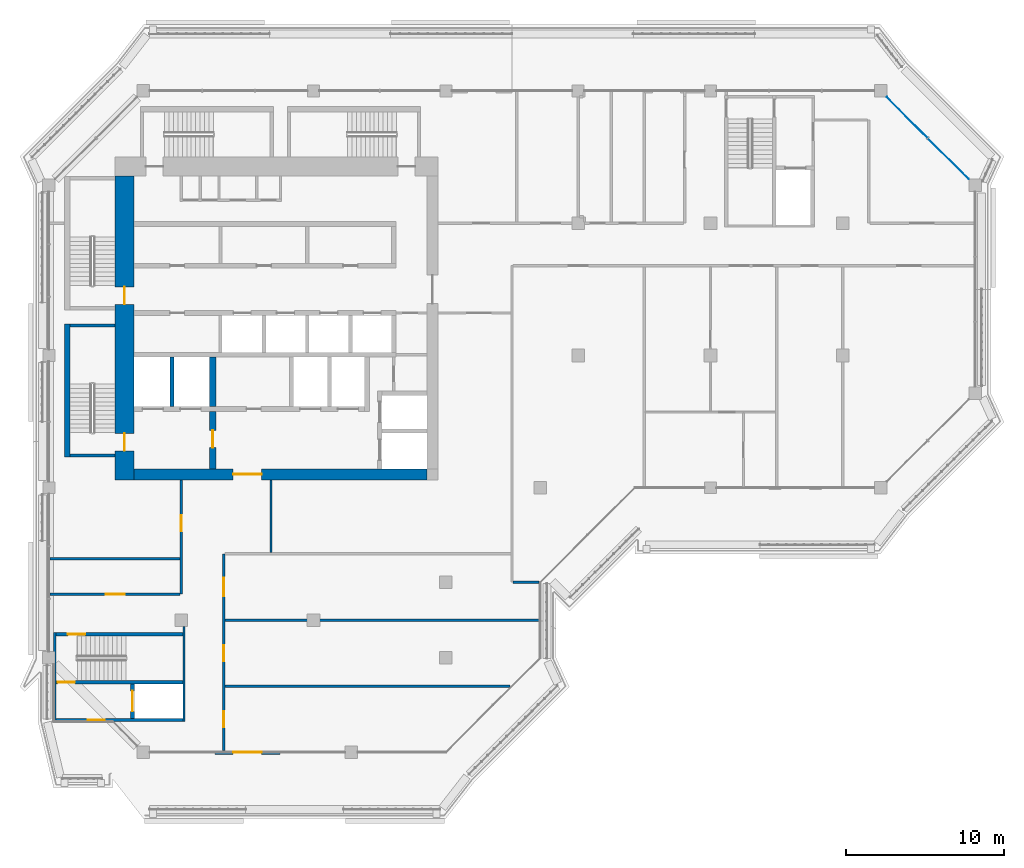
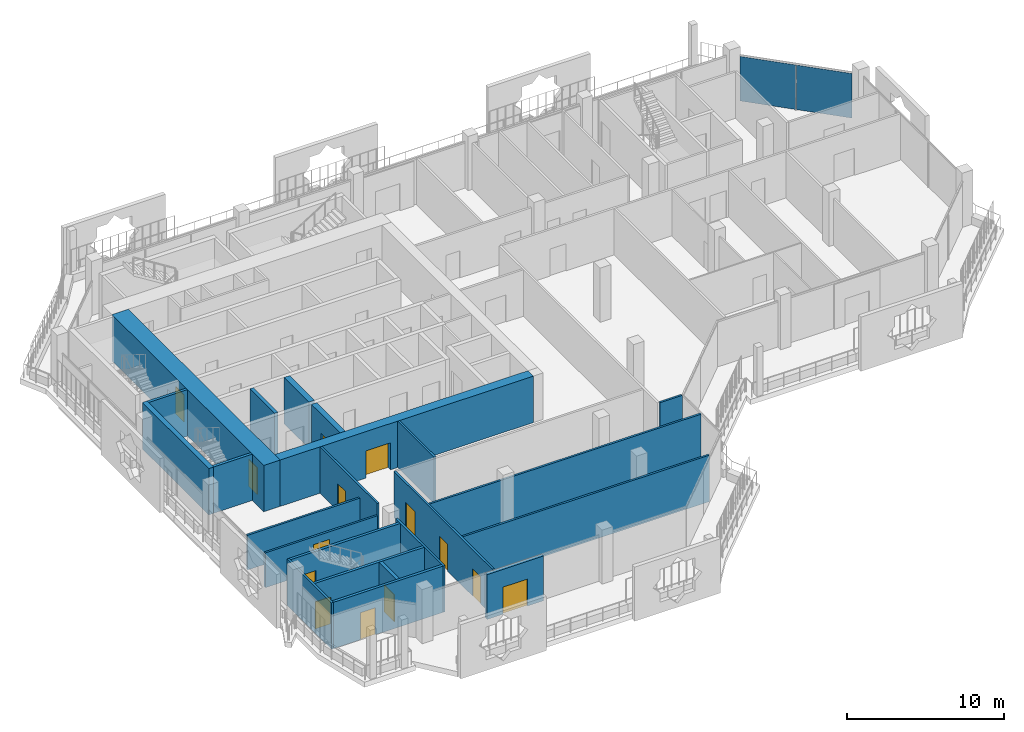
# One storey, part 10 of 21: 23 walls, 14 doors, 2 plates, 14 openings, 1 element without a shape of its own.
"""IFC4 building model written with IfcOpenShell, lengths in metres."""

from ifc_helpers import new_model, si_unit, direction, frame, frame_2d, origin, origin_2d, place, context, subcontext, project, spatial, rectangle, extrude, material, layer, layer_set, type_object, element, fill, aggregate, save


model = new_model("IFC4")

# Units and contexts
model_context = context("Model", 3, precision=1e-05, world=origin(), true_north=direction((0.0, 1.0)))
body_context = subcontext(model_context, "Body", "Model", "MODEL_VIEW")
ifc_project = project(units=[si_unit("LENGTHUNIT", "METRE"), si_unit("AREAUNIT", "SQUARE_METRE"), si_unit("VOLUMEUNIT", "CUBIC_METRE"), si_unit("PLANEANGLEUNIT", "RADIAN"), si_unit("MASSUNIT", "GRAM", prefix="KILO")], contexts=[model_context])

# Site, building, storey
site_placement = place(None, origin())
site = spatial("IfcSite", under=ifc_project, at=site_placement, CompositionType="ELEMENT")
building_placement = place(site_placement, origin())
building = spatial("IfcBuilding", under=site, at=building_placement, Name="Kawkab Arch Medical Tower", CompositionType="ELEMENT")
storey_placement = place(building_placement, frame((0.0, 0.0, 311.199951171875)))
storey = spatial("IfcBuildingStorey", under=building, at=storey_placement, Name="L72", CompositionType="ELEMENT", Elevation=311.199951171875)

# Curtain wall, plates
ifc_material_1 = material(Name="Bronze anodised aluminium curtain wall frame", Category="aluminium")
ifc_layer_1 = layer(ifc_material_1, 0.159912109375)
ifc_layer_set_1 = layer_set([ifc_layer_1], Name="Bronze anodised aluminium curtain wall frame")
curtain_wall_type = type_object("IfcCurtainWallType", Name="CW2 chamfer curtain wall", PredefinedType="NOTDEFINED", material=ifc_layer_set_1)
curtain_wall_placement = place(storey_placement, origin())
curtain_wall = element("IfcCurtainWall", 1, at=curtain_wall_placement, inside=storey, type_object=curtain_wall_type, Name="CW2 Chamfer curtain wall R14", PredefinedType="NOTDEFINED")
ifc_material_2 = material(Name="Tinted insulating glass, bronze low-e coating", Category="glass")
ifc_layer_2 = layer(ifc_material_2, 0.031982421875)
ifc_layer_set_2 = layer_set([ifc_layer_2], Name="Tinted insulating glass, bronze low-e coating")
plate_type = type_object("IfcPlateType", Name="CW2 glazing unit 32", PredefinedType="CURTAIN_PANEL", material=ifc_layer_set_2)
plate_1_placement = place(storey_placement, frame((57.110595703125, -4.310546875, 0.0), z_axis=(0.0, 0.0, 1.0), x_axis=(-0.707106781187, 0.707106781187, 0.0)))
plate_1 = element("IfcPlate", 2, at=plate_1_placement, type_object=plate_type, Name="CW2 glazing unit 1.1", PredefinedType="CURTAIN_PANEL", context=body_context, shape_type="SweptSolid", body=[
    extrude(rectangle(XDim=3.64697265625, YDim=0.031982421875, at=origin_2d()), origin(), (0.0, 0.0, 1.0), 3.4599609375),
])
plate_2_placement = place(storey_placement, frame((54.489501953125, -1.689453125, 0.0), z_axis=(0.0, 0.0, 1.0), x_axis=(-0.707106781187, 0.707106781187, 0.0)))
plate_2 = element("IfcPlate", 3, at=plate_2_placement, type_object=plate_type, Name="CW2 glazing unit 1.2", PredefinedType="CURTAIN_PANEL", context=body_context, shape_type="SweptSolid", body=[
    extrude(rectangle(XDim=3.64697265625, YDim=0.031982421875, at=origin_2d()), origin(), (0.0, 0.0, 1.0), 3.4599609375),
])
aggregate(curtain_wall, [plate_1, plate_2])

# Wall, openings, doors
ifc_material_3 = material(Name="Concrete C50/60", Category="concrete")
ifc_layer_3 = layer(ifc_material_3, 1.199951171875)
ifc_layer_set_3 = layer_set([ifc_layer_3], Name="Concrete C50/60")
wall_type_1 = type_object("IfcWallType", Name="Core ring wall 1200 C50/60", PredefinedType="SHEAR", material=ifc_layer_set_3)
wall_1_placement = place(storey_placement, frame((4.800048828125, -24.699951171875, 0.0), z_axis=(0.0, 0.0, 1.0), x_axis=(0.0, 1.0, 0.0)))
wall_1 = element("IfcWall", 4, at=wall_1_placement, inside=storey, type_object=wall_type_1, Name="L72 core wall", PredefinedType="SHEAR", context=body_context, shape_type="SweptSolid", body=[
    extrude(rectangle(XDim=19.300048828125, YDim=1.199951171875, at=frame_2d((9.64990234375, 0.0))), origin(), (0.0, 0.0, 1.0), 3.60009765625),
])
opening_1_placement = place(wall_1_placement, frame((11.14990234375, 0.0, 0.0)))
opening_1 = element("IfcOpeningElement", 5, at=opening_1_placement, cuts=wall_1, Name="Opening SD", PredefinedType="OPENING", context=body_context, shape_type="SweptSolid", body=[
    extrude(rectangle(XDim=1.10009765625, YDim=2.10009765625, at=frame_2d((0.550048828125, 1.050048828125))), frame((0.0, 0.60986328125, 0.0), z_axis=(0.0, -1.0, 0.0), x_axis=(1.0, 0.0, 0.0)), (0.0, 0.0, 1.0), 1.219970703125),
])
opening_2_placement = place(wall_1_placement, frame((1.85009765625, 0.0, 0.0)))
opening_2 = element("IfcOpeningElement", 6, at=opening_2_placement, cuts=wall_1, Name="Opening SD", PredefinedType="OPENING", context=body_context, shape_type="SweptSolid", body=[
    extrude(rectangle(XDim=1.10009765625, YDim=2.10009765625, at=frame_2d((0.550048828125, 1.050048828125))), frame((0.0, 0.60986328125, 0.0), z_axis=(0.0, -1.0, 0.0), x_axis=(1.0, 0.0, 0.0)), (0.0, 0.0, 1.0), 1.219970703125),
])
ifc_material_4 = material(Name="Hollow metal fire door leaf")
door_type_1 = type_object("IfcDoorType", Name="Exit stair door 1100", OperationType="SINGLE_SWING_LEFT", PredefinedType="DOOR", material=ifc_material_4)
door_1_placement = place(opening_1_placement, origin())
door_1 = element("IfcDoor", 7, at=door_1_placement, inside=storey, type_object=door_type_1, Name="L72 Exit stair ST1 door", OperationType="SINGLE_SWING_LEFT", OverallHeight=2.10009765625, OverallWidth=1.10009765625, PredefinedType="DOOR", context=body_context, shape_type="SweptSolid", body=[
    extrude(rectangle(XDim=1.10009765625, YDim=2.10009765625, at=frame_2d((0.550048828125, 1.050048828125))), frame((0.0, 0.02490234375, 0.0), z_axis=(0.0, -1.0, 0.0), x_axis=(1.0, 0.0, 0.0)), (0.0, 0.0, 1.0), 0.050048828125),
])
fill(opening_1, door_1)
door_2_placement = place(opening_2_placement, origin())
door_2 = element("IfcDoor", 8, at=door_2_placement, inside=storey, type_object=door_type_1, Name="L72 Exit stair ST2 door", OperationType="SINGLE_SWING_LEFT", OverallHeight=2.10009765625, OverallWidth=1.10009765625, PredefinedType="DOOR", context=body_context, shape_type="SweptSolid", body=[
    extrude(rectangle(XDim=1.10009765625, YDim=2.10009765625, at=frame_2d((0.550048828125, 1.050048828125))), frame((0.0, 0.02490234375, 0.0), z_axis=(0.0, -1.0, 0.0), x_axis=(1.0, 0.0, 0.0)), (0.0, 0.0, 1.0), 0.050048828125),
])
fill(opening_2, door_2)

# Wall, opening, door
ifc_material_5 = material(Name="Concrete C50/60", Category="concrete")
ifc_layer_4 = layer(ifc_material_5, 0.699951171875)
ifc_layer_set_4 = layer_set([ifc_layer_4], Name="Concrete C50/60")
wall_type_2 = type_object("IfcWallType", Name="Core ring wall 700 C50/60", PredefinedType="SHEAR", material=ifc_layer_set_4)
wall_2_placement = place(storey_placement, frame((5.39990234375, -24.35009765625, 0.0), z_axis=(0.0, 0.0, 1.0), x_axis=(1.0, 0.0, 0.0)))
wall_2 = element("IfcWall", 9, at=wall_2_placement, inside=storey, type_object=wall_type_2, Name="L72 core wall", PredefinedType="SHEAR", context=body_context, shape_type="SweptSolid", body=[
    extrude(rectangle(XDim=18.60009765625, YDim=0.699951171875, at=frame_2d((9.300048828125, 0.0))), origin(), (0.0, 0.0, 1.0), 3.60009765625),
])
opening_3_placement = place(wall_2_placement, frame((6.300048828125, 0.0, 0.0)))
opening_3 = element("IfcOpeningElement", 10, at=opening_3_placement, cuts=wall_2, Name="Opening PD", PredefinedType="OPENING", context=body_context, shape_type="SweptSolid", body=[
    extrude(rectangle(XDim=1.800048828125, YDim=2.10009765625, at=frame_2d((0.89990234375, 1.050048828125))), frame((0.0, 0.35986328125, 0.0), z_axis=(0.0, -1.0, 0.0), x_axis=(1.0, 0.0, 0.0)), (0.0, 0.0, 1.0), 0.719970703125),
])
ifc_material_6 = material(Name="Hollow metal fire door leaf")
door_type_2 = type_object("IfcDoorType", Name="Core entrance doors 1800", OperationType="DOUBLE_DOOR_SINGLE_SWING", PredefinedType="DOOR", material=ifc_material_6)
door_3_placement = place(opening_3_placement, origin())
door_3 = element("IfcDoor", 11, at=door_3_placement, inside=storey, type_object=door_type_2, Name="L72 South entrance doors", OperationType="DOUBLE_DOOR_SINGLE_SWING", OverallHeight=2.10009765625, OverallWidth=1.800048828125, PredefinedType="DOOR", context=body_context, shape_type="SweptSolid", body=[
    extrude(rectangle(XDim=1.800048828125, YDim=2.10009765625, at=frame_2d((0.89990234375, 1.050048828125))), frame((0.0, 0.02490234375, 0.0), z_axis=(0.0, -1.0, 0.0), x_axis=(1.0, 0.0, 0.0)), (0.0, 0.0, 1.0), 0.050048828125),
])
fill(opening_3, door_3)

# Wall
ifc_material_7 = material(Name="Concrete C60/75", Category="concrete")
ifc_layer_5 = layer(ifc_material_7, 0.25)
ifc_layer_set_5 = layer_set([ifc_layer_5], Name="Concrete C60/75")
wall_type_3 = type_object("IfcWallType", Name="Core shear wall 250 C60/75", PredefinedType="SHEAR", material=ifc_layer_set_5)
wall_3_placement = place(storey_placement, frame((7.800048828125, -20.050048828125, 0.0), z_axis=(0.0, 0.0, 1.0), x_axis=(0.0, 1.0, 0.0)))
element("IfcWall", 12, at=wall_3_placement, inside=storey, type_object=wall_type_3, Name="L72 core shear wall", PredefinedType="SHEAR", context=body_context, shape_type="SweptSolid", body=[
    extrude(rectangle(XDim=3.150146484375, YDim=0.25, at=frame_2d((1.5751953125, 0.0))), origin(), (0.0, 0.0, 1.0), 3.60009765625),
])

# Wall, opening, door
wall_4_placement = place(storey_placement, frame((5.300048828125, -39.85009765625, 0.0), z_axis=(0.0, 0.0, 1.0), x_axis=(0.0, 1.0, 0.0)))
wall_4 = element("IfcWall", 13, at=wall_4_placement, inside=storey, type_object=wall_type_3, Name="L72 core shear wall", PredefinedType="SHEAR", context=body_context, shape_type="SweptSolid", body=[
    extrude(rectangle(XDim=2.2001953125, YDim=0.25, at=frame_2d((1.10009765625, 0.0))), origin(), (0.0, 0.0, 1.0), 3.60009765625),
])
opening_4_placement = place(wall_4_placement, frame((0.449951171875, 0.0, 0.0)))
opening_4 = element("IfcOpeningElement", 14, at=opening_4_placement, cuts=wall_4, Name="Opening LD2", PredefinedType="OPENING", context=body_context, shape_type="SweptSolid", body=[
    extrude(rectangle(XDim=1.300048828125, YDim=2.10009765625, at=frame_2d((0.64990234375, 1.050048828125))), frame((0.0, 0.135009765625, 0.0), z_axis=(0.0, -1.0, 0.0), x_axis=(1.0, 0.0, 0.0)), (0.0, 0.0, 1.0), 0.27001953125),
])
ifc_material_8 = material(Name="Stainless steel lift door leaf", Category="steel")
door_type_3 = type_object("IfcDoorType", Name="Lift landing door 1300", OperationType="DOUBLE_DOOR_SLIDING", PredefinedType="DOOR", material=ifc_material_8)
door_4_placement = place(opening_4_placement, origin())
door_4 = element("IfcDoor", 15, at=door_4_placement, inside=storey, type_object=door_type_3, Name="L72 Lift landing door SV2", OperationType="DOUBLE_DOOR_SLIDING", OverallHeight=2.10009765625, OverallWidth=1.300048828125, PredefinedType="DOOR", context=body_context, shape_type="SweptSolid", body=[
    extrude(rectangle(XDim=1.300048828125, YDim=2.10009765625, at=frame_2d((0.64990234375, 1.050048828125))), frame((0.0, 0.02490234375, 0.0), z_axis=(0.0, -1.0, 0.0), x_axis=(1.0, 0.0, 0.0)), (0.0, 0.0, 1.0), 0.050048828125),
])
fill(opening_4, door_4)

ifc_material_9 = material(Name="Concrete C60/75", Category="concrete")
ifc_layer_6 = layer(ifc_material_9, 0.39990234375)
ifc_layer_set_6 = layer_set([ifc_layer_6], Name="Concrete C60/75")
wall_type_4 = type_object("IfcWallType", Name="Core shear wall 400 C60/75", PredefinedType="SHEAR", material=ifc_layer_set_6)
wall_5_placement = place(storey_placement, frame((10.39990234375, -24.0, 0.0), z_axis=(0.0, 0.0, 1.0), x_axis=(0.0, 1.0, 0.0)))
wall_5 = element("IfcWall", 16, at=wall_5_placement, inside=storey, type_object=wall_type_4, Name="L72 core shear wall", PredefinedType="SHEAR", context=body_context, shape_type="SweptSolid", body=[
    extrude(rectangle(XDim=3.64990234375, YDim=0.39990234375, at=frame_2d((1.824951171875, 0.0))), origin(), (0.0, 0.0, 1.0), 3.60009765625),
])
opening_5_placement = place(wall_5_placement, frame((1.35009765625, 0.0, 0.0)))
opening_5 = element("IfcOpeningElement", 17, at=opening_5_placement, cuts=wall_5, Name="Opening FD", PredefinedType="OPENING", context=body_context, shape_type="SweptSolid", body=[
    extrude(rectangle(XDim=1.10009765625, YDim=2.10009765625, at=frame_2d((0.550048828125, 1.050048828125))), frame((0.0, 0.2099609375, 0.0), z_axis=(0.0, -1.0, 0.0), x_axis=(1.0, 0.0, 0.0)), (0.0, 0.0, 1.0), 0.419921875),
])
ifc_material_10 = material(Name="Hollow metal fire door leaf")
door_type_4 = type_object("IfcDoorType", Name="Firefighting lobby door 1100", OperationType="SINGLE_SWING_LEFT", PredefinedType="DOOR", material=ifc_material_10)
door_5_placement = place(opening_5_placement, origin())
door_5 = element("IfcDoor", 18, at=door_5_placement, inside=storey, type_object=door_type_4, Name="L72 Firefighting lobby door", OperationType="SINGLE_SWING_LEFT", OverallHeight=2.10009765625, OverallWidth=1.10009765625, PredefinedType="DOOR", context=body_context, shape_type="SweptSolid", body=[
    extrude(rectangle(XDim=1.10009765625, YDim=2.10009765625, at=frame_2d((0.550048828125, 1.050048828125))), frame((0.0, 0.02490234375, 0.0), z_axis=(0.0, -1.0, 0.0), x_axis=(1.0, 0.0, 0.0)), (0.0, 0.0, 1.0), 0.050048828125),
])
fill(opening_5, door_5)

# Wall
wall_6_placement = place(storey_placement, frame((10.39990234375, -20.050048828125, 0.0), z_axis=(0.0, 0.0, 1.0), x_axis=(0.0, 1.0, 0.0)))
element("IfcWall", 19, at=wall_6_placement, inside=storey, type_object=wall_type_4, Name="L72 core shear wall", PredefinedType="SHEAR", context=body_context, shape_type="SweptSolid", body=[
    extrude(rectangle(XDim=3.150146484375, YDim=0.39990234375, at=frame_2d((1.5751953125, 0.0))), origin(), (0.0, 0.0, 1.0), 3.60009765625),
])

# Wall, opening, door
ifc_material_11 = material(Name="Bronze clad insulated wall panel")
ifc_layer_7 = layer(ifc_material_11, 0.25)
ifc_layer_set_7 = layer_set([ifc_layer_7], Name="Bronze clad insulated wall panel")
wall_type_5 = type_object("IfcWallType", Name="External wall bay 250", PredefinedType="SOLIDWALL", material=ifc_layer_set_7)
wall_7_placement = place(storey_placement, frame((10.533447265625, -42.0, 0.0), z_axis=(0.0, 0.0, 1.0), x_axis=(1.0, 0.0, 0.0)))
wall_7 = element("IfcWall", 20, at=wall_7_placement, inside=storey, type_object=wall_type_5, Name="External wall bay L72.R07.1.2", PredefinedType="SOLIDWALL", context=body_context, shape_type="SweptSolid", body=[
    extrude(rectangle(XDim=4.13330078125, YDim=0.25, at=frame_2d((2.066650390625, 0.0))), origin(), (0.0, 0.0, 1.0), 3.47998046875),
])
opening_6_placement = place(wall_7_placement, frame((1.166748046875, 0.0, 0.0)))
opening_6 = element("IfcOpeningElement", 21, at=opening_6_placement, cuts=wall_7, Name="Opening W67-701", PredefinedType="OPENING", context=body_context, shape_type="SweptSolid", body=[
    extrude(rectangle(XDim=1.800048828125, YDim=2.10009765625, at=frame_2d((0.89990234375, 1.050048828125))), frame((0.0, 0.135009765625, 0.0), z_axis=(0.0, -1.0, 0.0), x_axis=(1.0, 0.0, 0.0)), (0.0, 0.0, 1.0), 0.27001953125),
])
ifc_material_12 = material(Name="Bronze anodised aluminium door with tinted glass", Category="aluminium")
door_type_5 = type_object("IfcDoorType", Name="Double external door 1800 x 2100", OperationType="DOUBLE_DOOR_SINGLE_SWING", PredefinedType="DOOR", material=ifc_material_12)
door_6_placement = place(opening_6_placement, origin())
door_6 = element("IfcDoor", 22, at=door_6_placement, inside=storey, type_object=door_type_5, Name="External door L72.R07.1.2", OperationType="DOUBLE_DOOR_SINGLE_SWING", OverallHeight=2.10009765625, OverallWidth=1.800048828125, PredefinedType="DOOR", context=body_context, shape_type="SweptSolid", body=[
    extrude(rectangle(XDim=1.800048828125, YDim=2.10009765625, at=frame_2d((0.89990234375, 1.050048828125))), frame((0.0, 0.02490234375, 0.0), z_axis=(0.0, -1.0, 0.0), x_axis=(1.0, 0.0, 0.0)), (0.0, 0.0, 1.0), 0.050048828125),
])
fill(opening_6, door_6)

# Walls
ifc_material_13 = material(Name="Gypsum board partition on steel studs, mineral wool", Category="steel")
ifc_layer_8 = layer(ifc_material_13, 0.14990234375)
ifc_layer_set_8 = layer_set([ifc_layer_8], Name="Gypsum board partition on steel studs, mineral wool")
wall_type_6 = type_object("IfcWallType", Name="Partition 150", PredefinedType="PARTITIONING", material=ifc_layer_set_8)
wall_8_placement = place(storey_placement, frame((11.175048828125, -37.800048828125, 0.0), z_axis=(0.0, 0.0, 1.0), x_axis=(1.0, 0.0, 0.0)))
element("IfcWall", 23, at=wall_8_placement, inside=storey, type_object=wall_type_6, Name="Partition 150 w004", PredefinedType="PARTITIONING", context=body_context, shape_type="SweptSolid", body=[
    extrude(rectangle(XDim=18.112060546875, YDim=0.14990234375, at=frame_2d((9.05615234375, 0.0))), origin(), (0.0, 0.0, 1.0), 3.60009765625),
])
wall_9_placement = place(storey_placement, frame((11.175048828125, -33.60009765625, 0.0), z_axis=(0.0, 0.0, 1.0), x_axis=(1.0, 0.0, 0.0)))
element("IfcWall", 24, at=wall_9_placement, inside=storey, type_object=wall_type_6, Name="Partition 150 w005", PredefinedType="PARTITIONING", context=body_context, shape_type="SweptSolid", body=[
    extrude(rectangle(XDim=19.945068359375, YDim=0.14990234375, at=frame_2d((9.97265625, 0.0))), origin(), (0.0, 0.0, 1.0), 3.60009765625),
])

# Wall, opening, door
wall_10_placement = place(storey_placement, frame((0.080078125, -31.95703125, 0.0), z_axis=(0.0, 0.0, 1.0), x_axis=(1.0, 0.0, 0.0)))
wall_10 = element("IfcWall", 25, at=wall_10_placement, inside=storey, type_object=wall_type_6, Name="Partition 150 w006", PredefinedType="PARTITIONING", context=body_context, shape_type="SweptSolid", body=[
    extrude(rectangle(XDim=8.244873046875, YDim=0.14990234375, at=frame_2d((4.12255859375, 0.0))), origin(), (0.0, 0.0, 1.0), 2.699951171875),
])
opening_7_placement = place(wall_10_placement, frame((3.52001953125, 0.0, 0.0)))
opening_7 = element("IfcOpeningElement", 26, at=opening_7_placement, cuts=wall_10, Name="Opening W67-019", PredefinedType="OPENING", context=body_context, shape_type="SweptSolid", body=[
    extrude(rectangle(XDim=1.199951171875, YDim=2.10009765625, at=frame_2d((0.60009765625, 1.050048828125))), frame((0.0, 0.0849609375, 0.0), z_axis=(0.0, -1.0, 0.0), x_axis=(1.0, 0.0, 0.0)), (0.0, 0.0, 1.0), 0.169921875),
])
ifc_material_14 = material(Name="Hollow metal door leaf")
door_type_6 = type_object("IfcDoorType", Name="Single door 1200x2100 FD30S", OperationType="NOTDEFINED", PredefinedType="DOOR", material=ifc_material_14)
door_7_placement = place(opening_7_placement, origin())
door_7 = element("IfcDoor", 27, at=door_7_placement, inside=storey, type_object=door_type_6, Name="Door W67-019", OperationType="SINGLE_SWING_LEFT", OverallHeight=2.10009765625, OverallWidth=1.199951171875, PredefinedType="DOOR", context=body_context, shape_type="SweptSolid", body=[
    extrude(rectangle(XDim=1.199951171875, YDim=2.10009765625, at=frame_2d((0.60009765625, 1.050048828125))), frame((0.0, 0.02490234375, 0.0), z_axis=(0.0, -1.0, 0.0), x_axis=(1.0, 0.0, 0.0)), (0.0, 0.0, 1.0), 0.050048828125),
])
fill(opening_7, door_7)

# Walls
wall_11_placement = place(storey_placement, frame((29.47705078125, -31.199951171875, 0.0), z_axis=(0.0, 0.0, 1.0), x_axis=(1.0, 0.0, 0.0)))
element("IfcWall", 28, at=wall_11_placement, inside=storey, type_object=wall_type_6, Name="Partition 150 w007", PredefinedType="PARTITIONING", context=body_context, shape_type="SweptSolid", body=[
    extrude(rectangle(XDim=1.64306640625, YDim=0.14990234375, at=frame_2d((0.821533203125, 0.0))), origin(), (0.0, 0.0, 1.0), 3.60009765625),
])
wall_12_placement = place(storey_placement, frame((0.080078125, -29.699951171875, 0.0), z_axis=(0.0, 0.0, 1.0), x_axis=(1.0, 0.0, 0.0)))
element("IfcWall", 29, at=wall_12_placement, inside=storey, type_object=wall_type_6, Name="Partition 150 w008", PredefinedType="PARTITIONING", context=body_context, shape_type="SweptSolid", body=[
    extrude(rectangle(XDim=8.244873046875, YDim=0.14990234375, at=frame_2d((4.12255859375, 0.0))), origin(), (0.0, 0.0, 1.0), 2.699951171875),
])

# Wall, opening, door
wall_13_placement = place(storey_placement, frame((8.39990234375, -31.95703125, 0.0), z_axis=(0.0, 0.0, 1.0), x_axis=(0.0, 1.0, 0.0)))
wall_13 = element("IfcWall", 30, at=wall_13_placement, inside=storey, type_object=wall_type_6, Name="Partition 150 w018", PredefinedType="PARTITIONING", context=body_context, shape_type="SweptSolid", body=[
    extrude(rectangle(XDim=7.257080078125, YDim=0.14990234375, at=frame_2d((3.62841796875, 0.0))), origin(), (0.0, 0.0, 1.0), 3.60009765625),
])
opening_8_placement = place(wall_13_placement, frame((4.007080078125, 0.0, 0.0)))
opening_8 = element("IfcOpeningElement", 31, at=opening_8_placement, cuts=wall_13, Name="Opening W67-011", PredefinedType="OPENING", context=body_context, shape_type="SweptSolid", body=[
    extrude(rectangle(XDim=1.0, YDim=2.10009765625, at=frame_2d((0.5, 1.050048828125))), frame((0.0, 0.0849609375, 0.0), z_axis=(0.0, -1.0, 0.0), x_axis=(1.0, 0.0, 0.0)), (0.0, 0.0, 1.0), 0.169921875),
])
ifc_material_15 = material(Name="Hollow metal door leaf")
door_type_7 = type_object("IfcDoorType", Name="Single door 1000x2100 FD30S", OperationType="NOTDEFINED", PredefinedType="DOOR", material=ifc_material_15)
door_8_placement = place(opening_8_placement, origin())
door_8 = element("IfcDoor", 32, at=door_8_placement, inside=storey, type_object=door_type_7, Name="Door W67-011", OperationType="SINGLE_SWING_RIGHT", OverallHeight=2.10009765625, OverallWidth=1.0, PredefinedType="DOOR", context=body_context, shape_type="SweptSolid", body=[
    extrude(rectangle(XDim=1.0, YDim=2.10009765625, at=frame_2d((0.5, 1.050048828125))), frame((0.0, 0.02490234375, 0.0), z_axis=(0.0, -1.0, 0.0), x_axis=(1.0, 0.0, 0.0)), (0.0, 0.0, 1.0), 0.050048828125),
])
fill(opening_8, door_8)

# Wall, openings, doors
wall_14_placement = place(storey_placement, frame((11.10009765625, -41.919921875, 0.0), z_axis=(0.0, 0.0, 1.0), x_axis=(0.0, 1.0, 0.0)))
wall_14 = element("IfcWall", 33, at=wall_14_placement, inside=storey, type_object=wall_type_6, Name="Partition 150 w019", PredefinedType="PARTITIONING", context=body_context, shape_type="SweptSolid", body=[
    extrude(rectangle(XDim=12.52001953125, YDim=0.14990234375, at=frame_2d((6.260009765625, 0.0))), origin(), (0.0, 0.0, 1.0), 3.60009765625),
])
opening_9_placement = place(wall_14_placement, frame((9.820068359375, 0.0, 0.0)))
opening_9 = element("IfcOpeningElement", 34, at=opening_9_placement, cuts=wall_14, Name="Opening W67-020", PredefinedType="OPENING", context=body_context, shape_type="SweptSolid", body=[
    extrude(rectangle(XDim=1.199951171875, YDim=2.10009765625, at=frame_2d((0.60009765625, 1.050048828125))), frame((0.0, 0.0849609375, 0.0), z_axis=(0.0, -1.0, 0.0), x_axis=(1.0, 0.0, 0.0)), (0.0, 0.0, 1.0), 0.169921875),
])
opening_10_placement = place(wall_14_placement, frame((5.719970703125, 0.0, 0.0)))
opening_10 = element("IfcOpeningElement", 35, at=opening_10_placement, cuts=wall_14, Name="Opening W67-012", PredefinedType="OPENING", context=body_context, shape_type="SweptSolid", body=[
    extrude(rectangle(XDim=1.0, YDim=2.10009765625, at=frame_2d((0.5, 1.050048828125))), frame((0.0, 0.0849609375, 0.0), z_axis=(0.0, -1.0, 0.0), x_axis=(1.0, 0.0, 0.0)), (0.0, 0.0, 1.0), 0.169921875),
])
opening_11_placement = place(wall_14_placement, frame((1.52001953125, 0.0, 0.0)))
opening_11 = element("IfcOpeningElement", 36, at=opening_11_placement, cuts=wall_14, Name="Opening W67-013", PredefinedType="OPENING", context=body_context, shape_type="SweptSolid", body=[
    extrude(rectangle(XDim=1.0, YDim=2.10009765625, at=frame_2d((0.5, 1.050048828125))), frame((0.0, 0.0849609375, 0.0), z_axis=(0.0, -1.0, 0.0), x_axis=(1.0, 0.0, 0.0)), (0.0, 0.0, 1.0), 0.169921875),
])
door_9_placement = place(opening_10_placement, origin())
door_9 = element("IfcDoor", 37, at=door_9_placement, inside=storey, type_object=door_type_7, Name="Door W67-012", OperationType="SINGLE_SWING_RIGHT", OverallHeight=2.10009765625, OverallWidth=1.0, PredefinedType="DOOR", context=body_context, shape_type="SweptSolid", body=[
    extrude(rectangle(XDim=1.0, YDim=2.10009765625, at=frame_2d((0.5, 1.050048828125))), frame((0.0, 0.02490234375, 0.0), z_axis=(0.0, -1.0, 0.0), x_axis=(1.0, 0.0, 0.0)), (0.0, 0.0, 1.0), 0.050048828125),
])
fill(opening_10, door_9)
door_10_placement = place(opening_11_placement, origin())
door_10 = element("IfcDoor", 38, at=door_10_placement, inside=storey, type_object=door_type_7, Name="Door W67-013", OperationType="SINGLE_SWING_RIGHT", OverallHeight=2.10009765625, OverallWidth=1.0, PredefinedType="DOOR", context=body_context, shape_type="SweptSolid", body=[
    extrude(rectangle(XDim=1.0, YDim=2.10009765625, at=frame_2d((0.5, 1.050048828125))), frame((0.0, 0.02490234375, 0.0), z_axis=(0.0, -1.0, 0.0), x_axis=(1.0, 0.0, 0.0)), (0.0, 0.0, 1.0), 0.050048828125),
])
fill(opening_11, door_10)
door_11_placement = place(opening_9_placement, origin())
door_11 = element("IfcDoor", 39, at=door_11_placement, inside=storey, type_object=door_type_6, Name="Door W67-020", OperationType="SINGLE_SWING_LEFT", OverallHeight=2.10009765625, OverallWidth=1.199951171875, PredefinedType="DOOR", context=body_context, shape_type="SweptSolid", body=[
    extrude(rectangle(XDim=1.199951171875, YDim=2.10009765625, at=frame_2d((0.60009765625, 1.050048828125))), frame((0.0, 0.02490234375, 0.0), z_axis=(0.0, -1.0, 0.0), x_axis=(1.0, 0.0, 0.0)), (0.0, 0.0, 1.0), 0.050048828125),
])
fill(opening_9, door_11)

# Walls
wall_15_placement = place(storey_placement, frame((14.10009765625, -29.324951171875, 0.0), z_axis=(0.0, 0.0, 1.0), x_axis=(0.0, 1.0, 0.0)))
element("IfcWall", 40, at=wall_15_placement, inside=storey, type_object=wall_type_6, Name="Partition 150 w020", PredefinedType="PARTITIONING", context=body_context, shape_type="SweptSolid", body=[
    extrude(rectangle(XDim=4.625, YDim=0.14990234375, at=frame_2d((2.3125, 0.0))), origin(), (0.0, 0.0, 1.0), 3.60009765625),
])
ifc_material_16 = material(Name="Concrete C50/60", Category="concrete")
ifc_layer_9 = layer(ifc_material_16, 0.14990234375)
ifc_layer_set_9 = layer_set([ifc_layer_9], Name="Concrete C50/60")
wall_type_7 = type_object("IfcWallType", Name="Stair enclosure wall 150 C50/60", PredefinedType="SHEAR", material=ifc_layer_set_9)
wall_16_placement = place(storey_placement, frame((0.375, -40.050048828125, 0.0), z_axis=(0.0, 0.0, 1.0), x_axis=(0.0, 1.0, 0.0)))
element("IfcWall", 41, at=wall_16_placement, inside=storey, type_object=wall_type_7, Name="L72 stair enclosure wall", PredefinedType="SHEAR", context=body_context, shape_type="SweptSolid", body=[
    extrude(rectangle(XDim=5.650146484375, YDim=0.14990234375, at=frame_2d((2.8251953125, 0.0))), origin(), (0.0, 0.0, 1.0), 3.60009765625),
])
wall_17_placement = place(storey_placement, frame((8.574951171875, -40.050048828125, 0.0), z_axis=(0.0, 0.0, 1.0), x_axis=(0.0, 1.0, 0.0)))
element("IfcWall", 42, at=wall_17_placement, inside=storey, type_object=wall_type_7, Name="L72 stair enclosure wall", PredefinedType="SHEAR", context=body_context, shape_type="SweptSolid", body=[
    extrude(rectangle(XDim=6.050048828125, YDim=0.14990234375, at=frame_2d((3.02490234375, 0.0))), origin(), (0.0, 0.0, 1.0), 3.60009765625),
])
ifc_material_17 = material(Name="Concrete C50/60", Category="concrete")
ifc_layer_10 = layer(ifc_material_17, 0.199951171875)
ifc_layer_set_10 = layer_set([ifc_layer_10], Name="Concrete C50/60")
wall_type_8 = type_object("IfcWallType", Name="Stair enclosure wall 200 C50/60", PredefinedType="SHEAR", material=ifc_layer_set_10)
for number, where, z_axis, x_axis, name in (
    (43, (1.35009765625, -14.89990234375, 0.0), (0.0, 0.0, 1.0), (1.0, 0.0, 0.0), "L72 stair enclosure wall"),
    (44, (1.35009765625, -23.14990234375, 0.0), (0.0, 0.0, 1.0), (1.0, 0.0, 0.0), "L72 stair enclosure wall"),
):
    element("IfcWall", number, at=place(storey_placement, frame(where, z_axis=z_axis, x_axis=x_axis)), inside=storey, type_object=wall_type_8, Name=name, PredefinedType="SHEAR", context=body_context, shape_type="SweptSolid", body=[
        extrude(rectangle(XDim=2.849853515625, YDim=0.199951171875, at=frame_2d((1.4248046875, 0.0))), origin(), (0.0, 0.0, 1.0), 3.60009765625),
    ])

# Wall, opening, door
wall_18_placement = place(storey_placement, frame((0.449951171875, -34.5, 0.0), z_axis=(0.0, 0.0, 1.0), x_axis=(1.0, 0.0, 0.0)))
wall_18 = element("IfcWall", 45, at=wall_18_placement, inside=storey, type_object=wall_type_8, Name="L72 stair enclosure wall", PredefinedType="SHEAR", context=body_context, shape_type="SweptSolid", body=[
    extrude(rectangle(XDim=8.050048828125, YDim=0.199951171875, at=frame_2d((4.02490234375, 0.0))), origin(), (0.0, 0.0, 1.0), 3.60009765625),
])
opening_12_placement = place(wall_18_placement, frame((0.75, 0.0, 0.0)))
opening_12 = element("IfcOpeningElement", 46, at=opening_12_placement, cuts=wall_18, Name="Opening SD", PredefinedType="OPENING", context=body_context, shape_type="SweptSolid", body=[
    extrude(rectangle(XDim=1.10009765625, YDim=2.10009765625, at=frame_2d((0.550048828125, 1.050048828125))), frame((0.0, 0.10986328125, 0.0), z_axis=(0.0, -1.0, 0.0), x_axis=(1.0, 0.0, 0.0)), (0.0, 0.0, 1.0), 0.219970703125),
])
door_12_placement = place(opening_12_placement, origin())
door_12 = element("IfcDoor", 47, at=door_12_placement, inside=storey, type_object=door_type_1, Name="L72 Exit stair ST6 door", OperationType="SINGLE_SWING_LEFT", OverallHeight=2.10009765625, OverallWidth=1.10009765625, PredefinedType="DOOR", context=body_context, shape_type="SweptSolid", body=[
    extrude(rectangle(XDim=1.10009765625, YDim=2.10009765625, at=frame_2d((0.550048828125, 1.050048828125))), frame((0.0, 0.02490234375, 0.0), z_axis=(0.0, -1.0, 0.0), x_axis=(1.0, 0.0, 0.0)), (0.0, 0.0, 1.0), 0.050048828125),
])
fill(opening_12, door_12)

wall_19_placement = place(storey_placement, frame((0.449951171875, -37.550048828125, 0.0), z_axis=(0.0, 0.0, 1.0), x_axis=(1.0, 0.0, 0.0)))
wall_19 = element("IfcWall", 48, at=wall_19_placement, inside=storey, type_object=wall_type_8, Name="L72 stair enclosure wall", PredefinedType="SHEAR", context=body_context, shape_type="SweptSolid", body=[
    extrude(rectangle(XDim=8.050048828125, YDim=0.199951171875, at=frame_2d((4.02490234375, 0.0))), origin(), (0.0, 0.0, 1.0), 3.60009765625),
])
opening_13_placement = place(wall_19_placement, frame((0.10009765625, 0.0, 0.0)))
opening_13 = element("IfcOpeningElement", 49, at=opening_13_placement, cuts=wall_19, Name="Opening SD", PredefinedType="OPENING", context=body_context, shape_type="SweptSolid", body=[
    extrude(rectangle(XDim=1.10009765625, YDim=2.10009765625, at=frame_2d((0.550048828125, 1.050048828125))), frame((0.0, 0.10986328125, 0.0), z_axis=(0.0, -1.0, 0.0), x_axis=(1.0, 0.0, 0.0)), (0.0, 0.0, 1.0), 0.219970703125),
])
door_13_placement = place(opening_13_placement, frame((1.10009765625, 0.0, 0.0), z_axis=(0.0, 0.0, 1.0), x_axis=(-1.0, 0.0, 0.0)))
door_13 = element("IfcDoor", 50, at=door_13_placement, inside=storey, type_object=door_type_1, Name="L72 Exit stair ST6 lobby door", OperationType="SINGLE_SWING_LEFT", OverallHeight=2.10009765625, OverallWidth=1.10009765625, PredefinedType="DOOR", context=body_context, shape_type="SweptSolid", body=[
    extrude(rectangle(XDim=1.10009765625, YDim=2.10009765625, at=frame_2d((0.550048828125, 1.050048828125))), frame((0.0, 0.02490234375, 0.0), z_axis=(0.0, -1.0, 0.0), x_axis=(1.0, 0.0, 0.0)), (0.0, 0.0, 1.0), 0.050048828125),
])
fill(opening_13, door_13)

wall_20_placement = place(storey_placement, frame((0.449951171875, -39.949951171875, 0.0), z_axis=(0.0, 0.0, 1.0), x_axis=(1.0, 0.0, 0.0)))
wall_20 = element("IfcWall", 51, at=wall_20_placement, inside=storey, type_object=wall_type_8, Name="L72 stair enclosure wall", PredefinedType="SHEAR", context=body_context, shape_type="SweptSolid", body=[
    extrude(rectangle(XDim=8.050048828125, YDim=0.199951171875, at=frame_2d((4.02490234375, 0.0))), origin(), (0.0, 0.0, 1.0), 3.60009765625),
])
opening_14_placement = place(wall_20_placement, frame((2.0, 0.0, 0.0)))
opening_14 = element("IfcOpeningElement", 52, at=opening_14_placement, cuts=wall_20, Name="Opening FD", PredefinedType="OPENING", context=body_context, shape_type="SweptSolid", body=[
    extrude(rectangle(XDim=1.10009765625, YDim=2.10009765625, at=frame_2d((0.550048828125, 1.050048828125))), frame((0.0, 0.10986328125, 0.0), z_axis=(0.0, -1.0, 0.0), x_axis=(1.0, 0.0, 0.0)), (0.0, 0.0, 1.0), 0.219970703125),
])
door_14_placement = place(opening_14_placement, origin())
door_14 = element("IfcDoor", 53, at=door_14_placement, inside=storey, type_object=door_type_4, Name="L72 Service lift lobby door SV2", OperationType="SINGLE_SWING_LEFT", OverallHeight=2.10009765625, OverallWidth=1.10009765625, PredefinedType="DOOR", context=body_context, shape_type="SweptSolid", body=[
    extrude(rectangle(XDim=1.10009765625, YDim=2.10009765625, at=frame_2d((0.550048828125, 1.050048828125))), frame((0.0, 0.02490234375, 0.0), z_axis=(0.0, -1.0, 0.0), x_axis=(1.0, 0.0, 0.0)), (0.0, 0.0, 1.0), 0.050048828125),
])
fill(opening_14, door_14)

# Wall
ifc_material_18 = material(Name="Concrete C50/60", Category="concrete")
ifc_layer_11 = layer(ifc_material_18, 0.35009765625)
ifc_layer_set_11 = layer_set([ifc_layer_11], Name="Concrete C50/60")
wall_type_9 = type_object("IfcWallType", Name="Stair enclosure wall 350 C50/60", PredefinedType="SHEAR", material=ifc_layer_set_11)
wall_21_placement = place(storey_placement, frame((1.175048828125, -23.25, 0.0), z_axis=(0.0, 0.0, 1.0), x_axis=(0.0, 1.0, 0.0)))
element("IfcWall", 54, at=wall_21_placement, inside=storey, type_object=wall_type_9, Name="L72 stair enclosure wall", PredefinedType="SHEAR", context=body_context, shape_type="SweptSolid", body=[
    extrude(rectangle(XDim=8.449951171875, YDim=0.35009765625, at=frame_2d((4.22509765625, 0.0))), origin(), (0.0, 0.0, 1.0), 3.60009765625),
])

save(model, "model.ifc")
